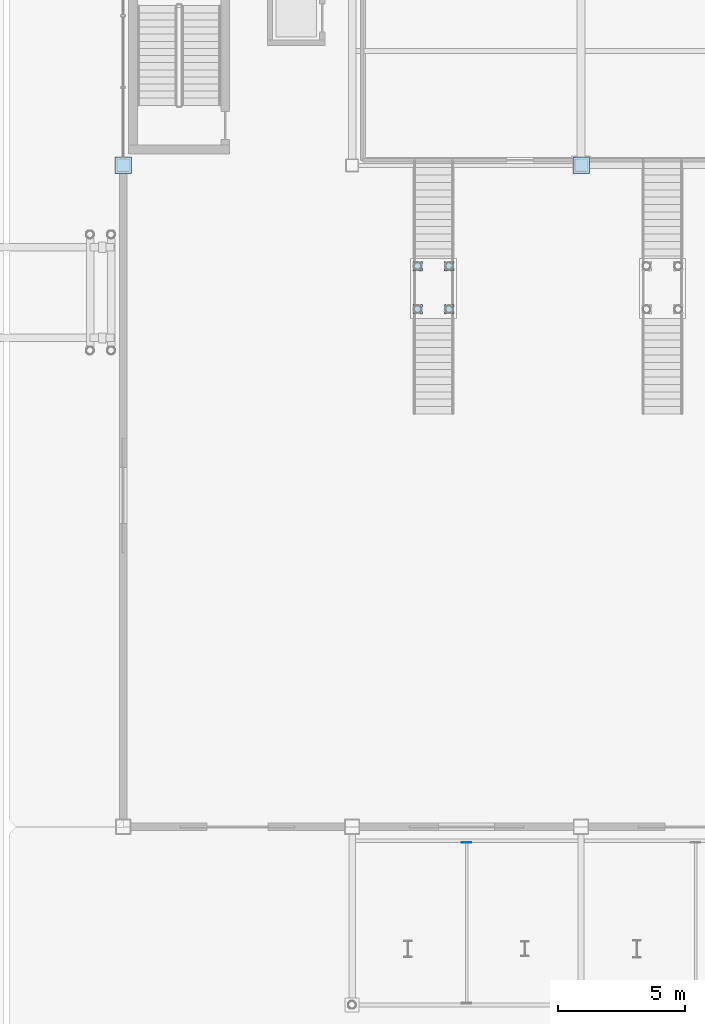
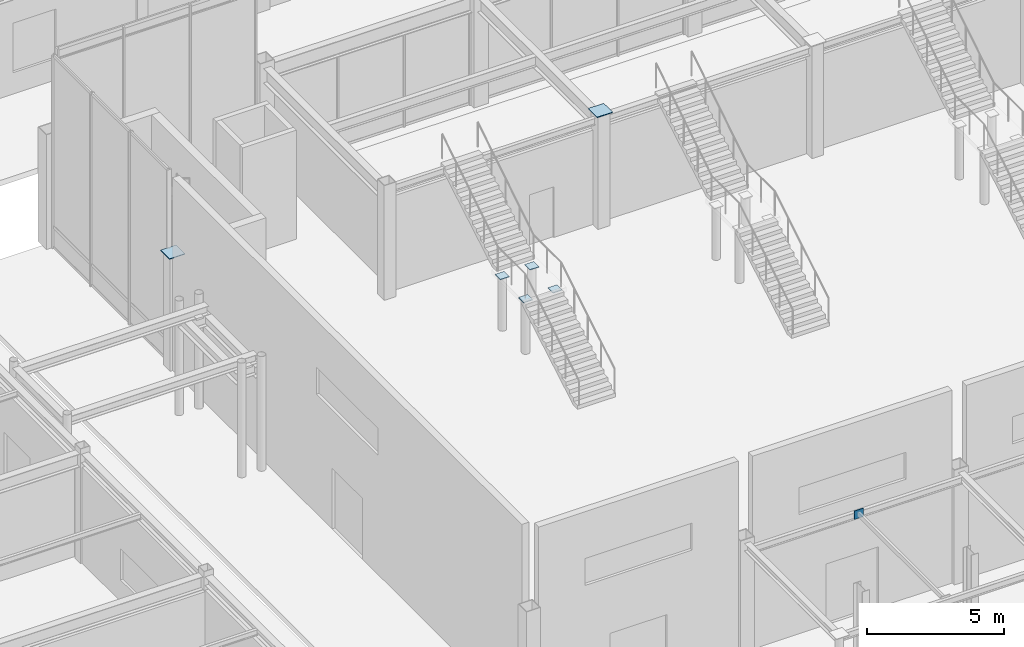
# One storey, part 73 of 123: 7 plates.
"""IFC4 building model written with IfcOpenShell, lengths in metres."""

import ifcopenshell
import ifcopenshell.guid

model = None  # the IFC model being written
_history = None  # IfcOwnerHistory: only IFC2X3 demands one
_inside = {}  # id of a spatial element -> (the spatial element, [elements in it])
_under = {}  # id of a project, library or spatial element -> (it, [spatial elements below it])
_declared = {}  # id of a project -> (the project, [libraries it declares])
_typed = {}  # id of a type object -> (the type object, [elements of that type])
_made_of = {}  # id of a material, layer set ... -> (it, [elements and type objects made of it])


def new_model(schema):
    """Start an empty IFC model of exactly this schema.

    Asked for "IFC4X3", IfcOpenShell would pick the latest addendum, in which some entities
    have other attributes; the version numbers below select the first issue.
    IFC2X3 requires an IfcOwnerHistory on every rooted entity: one is made here for all.
    """
    global model, _history
    if schema == "IFC4X3":
        model = ifcopenshell.file(schema_version=(4, 3, 0, 0))
    else:
        model = ifcopenshell.file(schema=schema)
    _inside.clear()
    _under.clear()
    _declared.clear()
    _typed.clear()
    _made_of.clear()
    _history = None
    if model.schema == "IFC2X3":
        org = make("IfcOrganization", Name="unknown")
        user = make(
            "IfcPersonAndOrganization",
            ThePerson=make("IfcPerson", FamilyName="unknown"),
            TheOrganization=org,
        )
        app = make(
            "IfcApplication",
            ApplicationDeveloper=org,
            Version="unknown",
            ApplicationFullName="unknown",
            ApplicationIdentifier="unknown",
        )
        _history = make(
            "IfcOwnerHistory",
            OwningUser=user,
            OwningApplication=app,
            ChangeAction="ADDED",
            CreationDate=0,
        )
    return model


def make(cls, **values):
    """One entity of the class cls with the attributes given. An attribute that is None is left unset."""
    return model.create_entity(
        cls, **{name: value for name, value in values.items() if value is not None}
    )


def rooted(cls, **values):
    """An entity with a GlobalId (a new one), such as an element, a storey or a relation."""
    return make(cls, GlobalId=ifcopenshell.guid.new(), OwnerHistory=_history, **values)


def si_unit(unit_type, name, prefix=None):
    """IfcSIUnit, for example si_unit("LENGTHUNIT", "METRE", prefix="MILLI")."""
    return make("IfcSIUnit", UnitType=unit_type, Prefix=prefix, Name=name)


def assignment(units):
    """IfcUnitAssignment: the units of a project."""
    return None if units is None else make("IfcUnitAssignment", Units=units)


def point(xyz):
    """IfcCartesianPoint."""
    return None if xyz is None else make("IfcCartesianPoint", Coordinates=xyz)


def direction(xyz):
    """IfcDirection."""
    return None if xyz is None else make("IfcDirection", DirectionRatios=xyz)


def frame(location, z_axis=None, x_axis=None):
    """IfcAxis2Placement3D, a coordinate frame: its origin and axes. An axis left out is left unset."""
    return make(
        "IfcAxis2Placement3D",
        Location=point(location),
        Axis=direction(z_axis),
        RefDirection=direction(x_axis),
    )


def frame_2d(location, x_axis=None):
    """IfcAxis2Placement2D, a coordinate frame in the plane: its origin and x axis."""
    return make(
        "IfcAxis2Placement2D", Location=point(location), RefDirection=direction(x_axis)
    )


def origin():
    """The frame at (0, 0, 0) with its axes left unset."""
    return frame((0.0, 0.0, 0.0))


def origin_2d():
    """The frame at (0, 0) in the plane with its x axis left unset."""
    return frame_2d((0.0, 0.0))


def place(relative_to, where):
    """IfcLocalPlacement: puts the frame where relative to a parent placement (None: the world)."""
    return make(
        "IfcLocalPlacement", PlacementRelTo=relative_to, RelativePlacement=where
    )


def context(
    kind, dimensions, precision=None, world=None, true_north=None, identifier=None
):
    """IfcGeometricRepresentationContext, for example the 3D "Model" context."""
    return make(
        "IfcGeometricRepresentationContext",
        ContextIdentifier=identifier,
        ContextType=kind,
        CoordinateSpaceDimension=dimensions,
        Precision=precision,
        WorldCoordinateSystem=world,
        TrueNorth=true_north,
    )


def subcontext(parent, identifier, kind, view, scale=None):
    """IfcGeometricRepresentationSubContext, for example "Body" below "Model"."""
    return make(
        "IfcGeometricRepresentationSubContext",
        ContextIdentifier=identifier,
        ContextType=kind,
        ParentContext=parent,
        TargetScale=scale,
        TargetView=view,
    )


def project(units=None, contexts=None):
    """IfcProject with its units and contexts."""
    return rooted(
        "IfcProject",
        Name="project",
        RepresentationContexts=contexts,
        UnitsInContext=assignment(units),
    )


def spatial(cls, under=None, at=None, **own):
    """A site, building, storey or space (cls), placed at a placement, below another one or the project."""
    s = rooted(cls, ObjectPlacement=at, **own)
    if under is not None:
        _under.setdefault(under.id(), (under, []))[1].append(s)
    return s


def profile(cls, at=None, kind="AREA", **sizes):
    """A parametric profile (cls). Its sizes go by their IFC names, for example OverallWidth=200.0."""
    return make(cls, ProfileType=kind, Position=at, **sizes)


def rectangle(**sizes):
    """IfcRectangleProfileDef."""
    return profile("IfcRectangleProfileDef", **sizes)


def extrude(swept, where, along, depth):
    """IfcExtrudedAreaSolid: the profile swept, set in the frame where, extruded along a direction by depth."""
    return make(
        "IfcExtrudedAreaSolid",
        SweptArea=swept,
        Position=where,
        ExtrudedDirection=direction(along),
        Depth=depth,
    )


def shape(context_of_items, identifier, shape_type, items):
    """IfcShapeRepresentation: the items that make up one representation, for example the "Body"."""
    return make(
        "IfcShapeRepresentation",
        ContextOfItems=context_of_items,
        RepresentationIdentifier=identifier,
        RepresentationType=shape_type,
        Items=items,
    )


def material(Name=None, Category=None):
    """IfcMaterial."""
    return make("IfcMaterial", Name=Name, Category=Category)


def layer(
    of_material, thickness, ventilated=None, Name=None, Category=None, Priority=None
):
    """IfcMaterialLayer: one layer of a wall or slab, of a material (None: an air gap)."""
    return make(
        "IfcMaterialLayer",
        Material=of_material,
        LayerThickness=thickness,
        IsVentilated=ventilated,
        Name=Name,
        Category=Category,
        Priority=Priority,
    )


def layer_set(layers, Name=None):
    """IfcMaterialLayerSet."""
    return make("IfcMaterialLayerSet", MaterialLayers=layers, LayerSetName=Name)


def made_of(thing, what):
    """Note that an element or type object is made of a material, layer set ...; save() writes the relation."""
    if what is not None:
        _made_of.setdefault(what.id(), (what, []))[1].append(thing)
    return thing


def type_object(cls, material=None, **own):
    """A type object (cls), such as IfcWallType, which elements share."""
    return made_of(rooted(cls, **own), material)


def element(
    cls,
    number,
    at=None,
    inside=None,
    cuts=None,
    type_object=None,
    material=None,
    context=None,
    identifier="Body",
    shape_type=None,
    held_by="IfcProductDefinitionShape",
    body=None,
    shapes=None,
    **own,
):
    """One element of the class cls, such as IfcWall. Its Tag is "e" and its number.

    at: its placement. inside: the storey or other place that contains it. cuts: it is an
    opening in that element (IfcRelVoidsElement). A single representation is given by context,
    identifier, shape_type and body (its items); several are given by shapes. held_by: the class
    of the entity that holds the representations. save() writes the other relations.
    """
    e = rooted(cls, Tag="e%d" % number, ObjectPlacement=at, **own)
    if body is not None:
        shapes = [shape(context, identifier, shape_type, body)]
    if shapes is not None:
        e.Representation = make(held_by, Representations=shapes)
    if inside is not None:
        _inside.setdefault(inside.id(), (inside, []))[1].append(e)
    if cuts is not None:
        rooted(
            "IfcRelVoidsElement", RelatingBuildingElement=cuts, RelatedOpeningElement=e
        )
    if type_object is not None:
        _typed.setdefault(type_object.id(), (type_object, []))[1].append(e)
    return made_of(e, material)


def aggregate(whole, parts):
    """IfcRelAggregates: a whole, such as a stair, and the parts it consists of."""
    return rooted("IfcRelAggregates", RelatingObject=whole, RelatedObjects=parts)


def save(model, path):
    """Write the relations noted so far, then the file.

    IfcRelAggregates (storeys below a building ...), IfcRelContainedInSpatialStructure (elements
    in a storey), IfcRelDefinesByType, IfcRelAssociatesMaterial and IfcRelDeclares: one each for
    every whole, place, type object, material and project.
    """
    for whole, parts in _under.values():
        aggregate(whole, parts)
    for where, things in _inside.values():
        rooted(
            "IfcRelContainedInSpatialStructure",
            RelatedElements=things,
            RelatingStructure=where,
        )
    for kind, things in _typed.values():
        rooted("IfcRelDefinesByType", RelatedObjects=things, RelatingType=kind)
    for what, things in _made_of.values():
        rooted("IfcRelAssociatesMaterial", RelatedObjects=things, RelatingMaterial=what)
    for by, libraries in _declared.values():
        rooted("IfcRelDeclares", RelatingContext=by, RelatedDefinitions=libraries)
    model.write(path)


model = new_model("IFC4")

# Units and contexts
model_context = context("Model", 3, precision=1e-05, world=origin(), true_north=direction((0.0, 1.0)))
body_context = subcontext(model_context, "Body", "Model", "MODEL_VIEW")
ifc_project = project(units=[si_unit("LENGTHUNIT", "METRE"), si_unit("AREAUNIT", "SQUARE_METRE"), si_unit("VOLUMEUNIT", "CUBIC_METRE"), si_unit("PLANEANGLEUNIT", "RADIAN"), si_unit("MASSUNIT", "GRAM", prefix="KILO")], contexts=[model_context])

# Site, building, storey
site_placement = place(None, origin())
site = spatial("IfcSite", under=ifc_project, at=site_placement, CompositionType="ELEMENT")
building_placement = place(site_placement, origin())
building = spatial("IfcBuilding", under=site, at=building_placement, Name="Suzunagisa Mobility Hub", CompositionType="ELEMENT")
storey_placement = place(building_placement, origin())
storey = spatial("IfcBuildingStorey", under=building, at=storey_placement, Name="L00", CompositionType="ELEMENT", Elevation=0.0)

# Plates
ifc_material = material(Name="Steel SN490B", Category="steel")
ifc_layer_1 = layer(ifc_material, 0.02392578125)
ifc_layer_set_1 = layer_set([ifc_layer_1], Name="Steel SN490B")
plate_type_1 = type_object("IfcPlateType", Name="Structural Steel Plate SP-03 380x380x24", PredefinedType="USERDEFINED", material=ifc_layer_set_1)
for number, where, z_axis, x_axis, name in (
    (1, (56.580078125, 56.340087890625, 2.35009765625), (0.0, 0.0, 1.0), (1.0, 0.0, 0.0), "Concourse Stair Post Cap CSC-01-1"),
    (2, (57.820068359375, 56.340087890625, 2.35009765625), (0.0, 0.0, 1.0), (1.0, 0.0, 0.0), "Concourse Stair Post Cap CSC-01-2"),
    (3, (56.580078125, 58.0400390625, 2.35009765625), (0.0, 0.0, 1.0), (1.0, 0.0, 0.0), "Concourse Stair Post Cap CSC-01-3"),
    (4, (57.820068359375, 58.0400390625, 2.35009765625), (0.0, 0.0, 1.0), (1.0, 0.0, 0.0), "Concourse Stair Post Cap CSC-01-4"),
):
    element("IfcPlate", number, at=place(storey_placement, frame(where, z_axis=z_axis, x_axis=x_axis)), inside=storey, type_object=plate_type_1, Name=name, ObjectType="BASE PLATE", PredefinedType="USERDEFINED", context=body_context, shape_type="SweptSolid", body=[
        extrude(rectangle(XDim=0.3798828125, YDim=0.3798828125, at=origin_2d()), origin(), (0.0, 0.0, 1.0), 0.02392578125),
    ])
ifc_layer_2 = layer(ifc_material, 0.031982421875)
ifc_layer_set_2 = layer_set([ifc_layer_2], Name="Steel SN490B")
plate_type_2 = type_object("IfcPlateType", Name="Structural Steel Plate SP-05 650x650x32", PredefinedType="USERDEFINED", material=ifc_layer_set_2)
for number, where, z_axis, x_axis, name in (
    (5, (45.0, 62.0, 5.0400390625), (0.0, 0.0, 1.0), (1.0, 0.0, 0.0), "L00 Column Cap Plate CP-116"),
    (6, (63.0, 62.0, 5.0400390625), (0.0, 0.0, 1.0), (1.0, 0.0, 0.0), "L00 Column Cap Plate CP-136"),
):
    element("IfcPlate", number, at=place(storey_placement, frame(where, z_axis=z_axis, x_axis=x_axis)), inside=storey, type_object=plate_type_2, Name=name, ObjectType="BASE PLATE", PredefinedType="USERDEFINED", context=body_context, shape_type="SweptSolid", body=[
        extrude(rectangle(XDim=0.64990234375, YDim=0.64990234375, at=origin_2d()), origin(), (0.0, 0.0, 1.0), 0.031982421875),
    ])
ifc_layer_3 = layer(ifc_material, 0.028076171875)
ifc_layer_set_3 = layer_set([ifc_layer_3], Name="Steel SN490B")
plate_type_3 = type_object("IfcPlateType", Name="Structural Steel Plate SP-07 380x380x28", PredefinedType="USERDEFINED", material=ifc_layer_set_3)
plate_placement = place(storey_placement, frame((58.5, 35.384033203125, 4.650146484375), z_axis=(0.0, 0.0, 1.0), x_axis=(1.0, 0.0, 0.0)))
element("IfcPlate", 7, at=plate_placement, inside=storey, type_object=plate_type_3, Name="Canopy Frame End Gusset Plate CPG-1N", ObjectType="GUSSET PLATE", PredefinedType="USERDEFINED", context=body_context, shape_type="SweptSolid", body=[
    extrude(rectangle(XDim=0.3798828125, YDim=0.028076171875, at=origin_2d()), origin(), (0.0, 0.0, 1.0), 0.3798828125),
])

save(model, "model.ifc")
